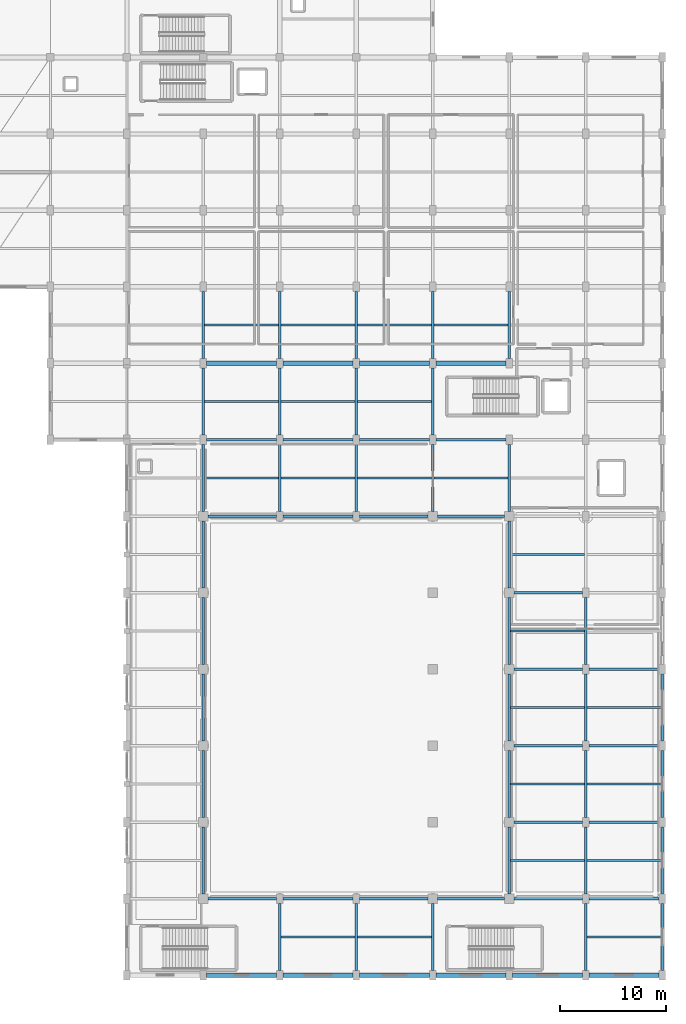
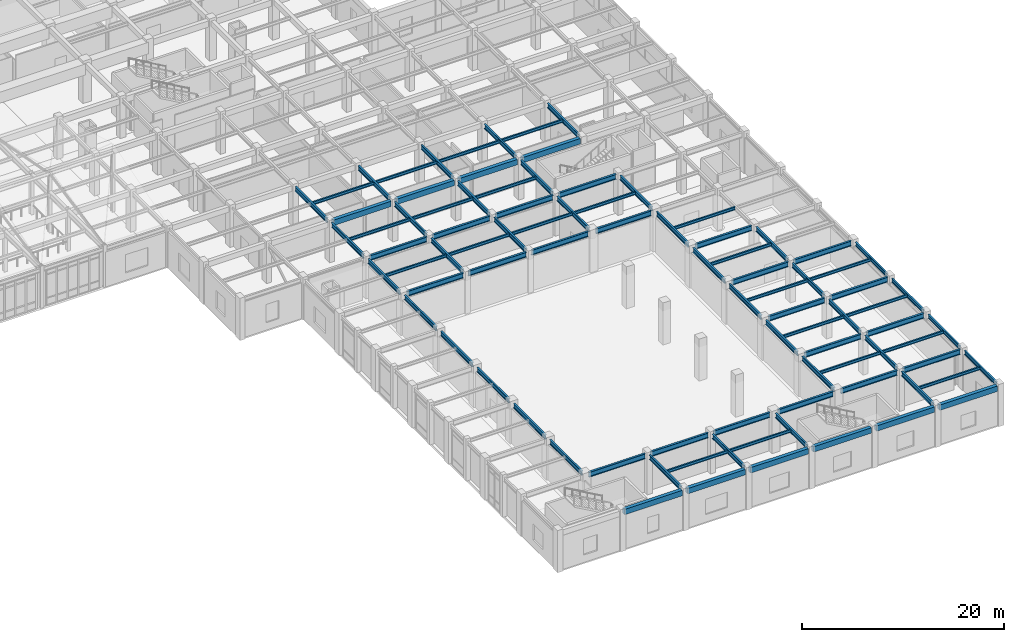
# One storey, part 58 of 117: 89 beams.
"""IFC4 building model written with IfcOpenShell, lengths in metres."""

from ifc_helpers import new_model, si_unit, direction, frame, origin, origin_2d, place, context, subcontext, project, spatial, rectangle, i_section, extrude, material, material_profile, profile_set, type_object, element, save


model = new_model("IFC4")

# Units and contexts
model_context = context("Model", 3, precision=1e-05, world=origin(), true_north=direction((0.0, 1.0)))
body_context = subcontext(model_context, "Body", "Model", "MODEL_VIEW")
ifc_project = project(units=[si_unit("LENGTHUNIT", "METRE"), si_unit("AREAUNIT", "SQUARE_METRE"), si_unit("VOLUMEUNIT", "CUBIC_METRE"), si_unit("PLANEANGLEUNIT", "RADIAN"), si_unit("MASSUNIT", "GRAM", prefix="KILO")], contexts=[model_context])

# Site, building, storey
site_placement = place(None, origin())
site = spatial("IfcSite", under=ifc_project, at=site_placement, CompositionType="ELEMENT")
building_placement = place(site_placement, origin())
building = spatial("IfcBuilding", under=site, at=building_placement, Name="Carrowvane Square Congress Hotel", CompositionType="ELEMENT")
storey_placement = place(building_placement, frame((0.0, 0.0, 5.39990234375)))
storey = spatial("IfcBuildingStorey", under=building, at=storey_placement, Name="L01", CompositionType="ELEMENT", Elevation=5.39990234375)

# Beams
ifc_material_1 = material(Name="Concrete C35/45", Category="concrete")
ifc_material_profile_1 = material_profile(ifc_material_1, rectangle(XDim=0.39990234375, YDim=0.64990234375, at=origin_2d()), Name="RC 400x650")
ifc_profile_set_1 = profile_set([ifc_material_profile_1], Name="Concrete C35/45")
beam_type_1 = type_object("IfcBeamType", Name="BM-RC-400x650", PredefinedType="BEAM", material=ifc_profile_set_1)
for number, where, z_axis, x_axis, name in (
    (1, (141.5, 63.0, 4.455078125), (1.0, 0.0, 0.0), (0.0, 1.0, 0.0), "L02 girder J/19-20"),
    (2, (148.699951171875, 63.0, 4.455078125), (1.0, 0.0, 0.0), (0.0, 1.0, 0.0), "L02 girder J/20-21"),
    (3, (155.89990234375, 63.0, 4.455078125), (1.0, 0.0, 0.0), (0.0, 1.0, 0.0), "L02 girder J/21-22"),
):
    element("IfcBeam", number, at=place(storey_placement, frame(where, z_axis=z_axis, x_axis=x_axis)), inside=storey, type_object=beam_type_1, Name=name, PredefinedType="BEAM", context=body_context, shape_type="SweptSolid", body=[
        extrude(rectangle(XDim=0.39990234375, YDim=0.64990234375, at=origin_2d()), origin(), (0.0, 0.0, 1.0), 6.60009765625),
    ])
beam_1_placement = place(storey_placement, frame((163.10009765625, 63.0, 4.455078125), z_axis=(1.0, 0.0, 0.0), x_axis=(0.0, 1.0, 0.0)))
element("IfcBeam", 4, at=beam_1_placement, inside=storey, type_object=beam_type_1, Name="L02 girder J/22-23", PredefinedType="BEAM", context=body_context, shape_type="SweptSolid", body=[
    extrude(rectangle(XDim=0.39990234375, YDim=0.64990234375, at=origin_2d()), origin(), (0.0, 0.0, 1.0), 6.599853515625),
])
ifc_material_2 = material(Name="Steel S355", Category="steel")
ifc_material_profile_2 = material_profile(ifc_material_2, i_section(OverallWidth=0.172119140625, OverallDepth=0.35791015625, WebThickness=0.008056640625, FlangeThickness=0.012939453125, FilletRadius=0.01025390625, at=origin_2d()), Name="UKB 356x171x57")
ifc_profile_set_2 = profile_set([ifc_material_profile_2], Name="Steel S355")
beam_type_2 = type_object("IfcBeamType", Name="BM-ST-UKB356", PredefinedType="JOIST", material=ifc_profile_set_2)
for number, where, z_axis, x_axis, name in (
    (5, (141.304931640625, 52.199951171875, 4.60107421875), (1.0, 0.0, 0.0), (0.0, 1.0, 0.0), "L02 secondary joist 19-20"),
    (6, (141.304931640625, 59.39990234375, 4.60107421875), (1.0, 0.0, 0.0), (0.0, 1.0, 0.0), "L02 secondary joist 19-20"),
    (7, (141.304931640625, 66.60009765625, 4.60107421875), (1.0, 0.0, 0.0), (0.0, 1.0, 0.0), "L02 secondary joist 19-20"),
):
    element("IfcBeam", number, at=place(storey_placement, frame(where, z_axis=z_axis, x_axis=x_axis)), inside=storey, type_object=beam_type_2, Name=name, PredefinedType="JOIST", context=body_context, shape_type="SweptSolid", body=[
        extrude(i_section(OverallWidth=0.172119140625, OverallDepth=0.35791015625, WebThickness=0.008056640625, FlangeThickness=0.012939453125, FilletRadius=0.01025390625, at=origin_2d()), origin(), (0.0, 0.0, 1.0), 6.989990234375),
    ])
for number, where, z_axis, x_axis, name in (
    (8, (148.5048828125, 9.0, 4.60107421875), (1.0, 0.0, 0.0), (0.0, 1.0, 0.0), "L02 secondary joist 20-21"),
    (9, (148.5048828125, 52.199951171875, 4.60107421875), (1.0, 0.0, 0.0), (0.0, 1.0, 0.0), "L02 secondary joist 20-21"),
    (10, (148.5048828125, 59.39990234375, 4.60107421875), (1.0, 0.0, 0.0), (0.0, 1.0, 0.0), "L02 secondary joist 20-21"),
    (11, (148.5048828125, 66.60009765625, 4.60107421875), (1.0, 0.0, 0.0), (0.0, 1.0, 0.0), "L02 secondary joist 20-21"),
):
    element("IfcBeam", number, at=place(storey_placement, frame(where, z_axis=z_axis, x_axis=x_axis)), inside=storey, type_object=beam_type_2, Name=name, PredefinedType="JOIST", context=body_context, shape_type="SweptSolid", body=[
        extrude(i_section(OverallWidth=0.172119140625, OverallDepth=0.35791015625, WebThickness=0.008056640625, FlangeThickness=0.012939453125, FilletRadius=0.01025390625, at=origin_2d()), origin(), (0.0, 0.0, 1.0), 6.990234375),
    ])
for number, where, z_axis, x_axis, name in (
    (12, (155.705078125, 9.0, 4.60107421875), (1.0, 0.0, 0.0), (0.0, 1.0, 0.0), "L02 secondary joist 21-22"),
    (13, (155.705078125, 52.199951171875, 4.60107421875), (1.0, 0.0, 0.0), (0.0, 1.0, 0.0), "L02 secondary joist 21-22"),
    (14, (155.705078125, 59.39990234375, 4.60107421875), (1.0, 0.0, 0.0), (0.0, 1.0, 0.0), "L02 secondary joist 21-22"),
    (15, (155.705078125, 66.60009765625, 4.60107421875), (1.0, 0.0, 0.0), (0.0, 1.0, 0.0), "L02 secondary joist 21-22"),
    (16, (162.905029296875, 52.199951171875, 4.60107421875), (1.0, 0.0, 0.0), (0.0, 1.0, 0.0), "L02 secondary joist 22-23"),
    (17, (162.905029296875, 66.60009765625, 4.60107421875), (1.0, 0.0, 0.0), (0.0, 1.0, 0.0), "L02 secondary joist 22-23"),
    (18, (170.10498046875, 16.199951171875, 4.60107421875), (1.0, 0.0, 0.0), (0.0, 1.0, 0.0), "L02 secondary joist 23-24"),
    (19, (170.10498046875, 23.39990234375, 4.60107421875), (1.0, 0.0, 0.0), (0.0, 1.0, 0.0), "L02 secondary joist 23-24"),
    (20, (170.10498046875, 30.60009765625, 4.60107421875), (1.0, 0.0, 0.0), (0.0, 1.0, 0.0), "L02 secondary joist 23-24"),
    (21, (170.10498046875, 37.800048828125, 4.60107421875), (1.0, 0.0, 0.0), (0.0, 1.0, 0.0), "L02 secondary joist 23-24"),
    (22, (170.10498046875, 45.0, 4.60107421875), (1.0, 0.0, 0.0), (0.0, 1.0, 0.0), "L02 secondary joist 23-24"),
):
    element("IfcBeam", number, at=place(storey_placement, frame(where, z_axis=z_axis, x_axis=x_axis)), inside=storey, type_object=beam_type_2, Name=name, PredefinedType="JOIST", context=body_context, shape_type="SweptSolid", body=[
        extrude(i_section(OverallWidth=0.172119140625, OverallDepth=0.35791015625, WebThickness=0.008056640625, FlangeThickness=0.012939453125, FilletRadius=0.01025390625, at=origin_2d()), origin(), (0.0, 0.0, 1.0), 6.989990234375),
    ])
for number, where, z_axis, x_axis, name in (
    (23, (177.304931640625, 9.0, 4.60107421875), (1.0, 0.0, 0.0), (0.0, 1.0, 0.0), "L02 secondary joist 24-25"),
    (24, (177.304931640625, 16.199951171875, 4.60107421875), (1.0, 0.0, 0.0), (0.0, 1.0, 0.0), "L02 secondary joist 24-25"),
    (25, (177.304931640625, 23.39990234375, 4.60107421875), (1.0, 0.0, 0.0), (0.0, 1.0, 0.0), "L02 secondary joist 24-25"),
    (26, (177.304931640625, 30.60009765625, 4.60107421875), (1.0, 0.0, 0.0), (0.0, 1.0, 0.0), "L02 secondary joist 24-25"),
):
    element("IfcBeam", number, at=place(storey_placement, frame(where, z_axis=z_axis, x_axis=x_axis)), inside=storey, type_object=beam_type_2, Name=name, PredefinedType="JOIST", context=body_context, shape_type="SweptSolid", body=[
        extrude(i_section(OverallWidth=0.172119140625, OverallDepth=0.35791015625, WebThickness=0.008056640625, FlangeThickness=0.012939453125, FilletRadius=0.01025390625, at=origin_2d()), origin(), (0.0, 0.0, 1.0), 6.99951171875),
    ])
ifc_material_3 = material(Name="Steel S355", Category="steel")
ifc_material_profile_3 = material_profile(ifc_material_3, i_section(OverallWidth=0.19140625, OverallDepth=0.4599609375, WebThickness=0.010009765625, FlangeThickness=0.01611328125, FilletRadius=0.01025390625, at=origin_2d()), Name="UKB 457x191x82")
ifc_profile_set_3 = profile_set([ifc_material_profile_3], Name="Steel S355")
beam_type_3 = type_object("IfcBeamType", Name="BM-ST-UKB457", PredefinedType="SPANDREL", material=ifc_profile_set_3)
beam_2_placement = place(storey_placement, frame((184.39990234375, 5.85009765625, 4.550048828125), z_axis=(0.0, 1.0, 0.0), x_axis=(-1.0, 0.0, 0.0)))
element("IfcBeam", 27, at=beam_2_placement, inside=storey, type_object=beam_type_3, Name="L02 girder 25/A-B", PredefinedType="SPANDREL", context=body_context, shape_type="SweptSolid", body=[
    extrude(i_section(OverallWidth=0.19140625, OverallDepth=0.4599609375, WebThickness=0.010009765625, FlangeThickness=0.01611328125, FilletRadius=0.01025390625, at=origin_2d()), origin(), (0.0, 0.0, 1.0), 6.2998046875),
])
for number, where, z_axis, x_axis, name in (
    (28, (184.39990234375, 13.050048828125, 4.550048828125), (0.0, 1.0, 0.0), (-1.0, 0.0, 0.0), "L02 girder 25/B-C"),
    (29, (184.39990234375, 20.25, 4.550048828125), (0.0, 1.0, 0.0), (-1.0, 0.0, 0.0), "L02 girder 25/C-D"),
    (30, (184.39990234375, 27.449951171875, 4.550048828125), (0.0, 1.0, 0.0), (-1.0, 0.0, 0.0), "L02 girder 25/D-E"),
):
    element("IfcBeam", number, at=place(storey_placement, frame(where, z_axis=z_axis, x_axis=x_axis)), inside=storey, type_object=beam_type_3, Name=name, PredefinedType="SPANDREL", context=body_context, shape_type="SweptSolid", body=[
        extrude(i_section(OverallWidth=0.19140625, OverallDepth=0.4599609375, WebThickness=0.010009765625, FlangeThickness=0.01611328125, FilletRadius=0.01025390625, at=origin_2d()), origin(), (0.0, 0.0, 1.0), 6.300048828125),
    ])
ifc_material_4 = material(Name="Steel S355", Category="steel")
ifc_material_profile_4 = material_profile(ifc_material_4, i_section(OverallWidth=0.2099609375, OverallDepth=0.53662109375, WebThickness=0.0107421875, FlangeThickness=0.017333984375, FilletRadius=0.0126953125, at=origin_2d()), Name="UKB 533x210x101")
ifc_profile_set_4 = profile_set([ifc_material_profile_4], Name="Steel S355")
beam_type_4 = type_object("IfcBeamType", Name="BM-ST-UKB533", PredefinedType="USERDEFINED", material=ifc_profile_set_4)
for number, where, z_axis, x_axis, name in (
    (31, (141.199951171875, 13.050048828125, 4.51171875), (0.0, 1.0, 0.0), (-1.0, 0.0, 0.0), "L02 girder 19/B-C"),
    (32, (141.199951171875, 20.25, 4.51171875), (0.0, 1.0, 0.0), (-1.0, 0.0, 0.0), "L02 girder 19/C-D"),
    (33, (141.199951171875, 27.449951171875, 4.51171875), (0.0, 1.0, 0.0), (-1.0, 0.0, 0.0), "L02 girder 19/D-E"),
    (34, (141.199951171875, 34.64990234375, 4.51171875), (0.0, 1.0, 0.0), (-1.0, 0.0, 0.0), "L02 girder 19/E-F"),
):
    element("IfcBeam", number, at=place(storey_placement, frame(where, z_axis=z_axis, x_axis=x_axis)), inside=storey, type_object=beam_type_4, Name=name, ObjectType="GIRDER", PredefinedType="USERDEFINED", context=body_context, shape_type="SweptSolid", body=[
        extrude(i_section(OverallWidth=0.2099609375, OverallDepth=0.53662109375, WebThickness=0.0107421875, FlangeThickness=0.017333984375, FilletRadius=0.0126953125, at=origin_2d()), origin(), (0.0, 0.0, 1.0), 6.300048828125),
    ])
beam_3_placement = place(storey_placement, frame((141.199951171875, 41.85009765625, 4.51171875), z_axis=(0.0, 1.0, 0.0), x_axis=(-1.0, 0.0, 0.0)))
element("IfcBeam", 35, at=beam_3_placement, inside=storey, type_object=beam_type_4, Name="L02 girder 19/F-G", ObjectType="GIRDER", PredefinedType="USERDEFINED", context=body_context, shape_type="SweptSolid", body=[
    extrude(i_section(OverallWidth=0.2099609375, OverallDepth=0.53662109375, WebThickness=0.0107421875, FlangeThickness=0.017333984375, FilletRadius=0.0126953125, at=origin_2d()), origin(), (0.0, 0.0, 1.0), 6.2998046875),
])
for number, where, z_axis, x_axis, name in (
    (36, (141.199951171875, 49.050048828125, 4.51171875), (0.0, 1.0, 0.0), (-1.0, 0.0, 0.0), "L02 girder 19/G-H"),
    (37, (141.199951171875, 56.25, 4.51171875), (0.0, 1.0, 0.0), (-1.0, 0.0, 0.0), "L02 girder 19/H-J"),
    (38, (141.199951171875, 63.449951171875, 4.51171875), (0.0, 1.0, 0.0), (-1.0, 0.0, 0.0), "L02 girder 19/J-K"),
):
    element("IfcBeam", number, at=place(storey_placement, frame(where, z_axis=z_axis, x_axis=x_axis)), inside=storey, type_object=beam_type_4, Name=name, ObjectType="GIRDER", PredefinedType="USERDEFINED", context=body_context, shape_type="SweptSolid", body=[
        extrude(i_section(OverallWidth=0.2099609375, OverallDepth=0.53662109375, WebThickness=0.0107421875, FlangeThickness=0.017333984375, FilletRadius=0.0126953125, at=origin_2d()), origin(), (0.0, 0.0, 1.0), 6.300048828125),
    ])
beam_4_placement = place(storey_placement, frame((148.39990234375, 5.85009765625, 4.51171875), z_axis=(0.0, 1.0, 0.0), x_axis=(-1.0, 0.0, 0.0)))
element("IfcBeam", 39, at=beam_4_placement, inside=storey, type_object=beam_type_4, Name="L02 girder 20/A-B", ObjectType="GIRDER", PredefinedType="USERDEFINED", context=body_context, shape_type="SweptSolid", body=[
    extrude(i_section(OverallWidth=0.2099609375, OverallDepth=0.53662109375, WebThickness=0.0107421875, FlangeThickness=0.017333984375, FilletRadius=0.0126953125, at=origin_2d()), origin(), (0.0, 0.0, 1.0), 6.2998046875),
])
for number, where, z_axis, x_axis, name in (
    (40, (148.39990234375, 49.050048828125, 4.51171875), (0.0, 1.0, 0.0), (-1.0, 0.0, 0.0), "L02 girder 20/G-H"),
    (41, (148.39990234375, 56.25, 4.51171875), (0.0, 1.0, 0.0), (-1.0, 0.0, 0.0), "L02 girder 20/H-J"),
    (42, (148.39990234375, 63.449951171875, 4.51171875), (0.0, 1.0, 0.0), (-1.0, 0.0, 0.0), "L02 girder 20/J-K"),
):
    element("IfcBeam", number, at=place(storey_placement, frame(where, z_axis=z_axis, x_axis=x_axis)), inside=storey, type_object=beam_type_4, Name=name, ObjectType="GIRDER", PredefinedType="USERDEFINED", context=body_context, shape_type="SweptSolid", body=[
        extrude(i_section(OverallWidth=0.2099609375, OverallDepth=0.53662109375, WebThickness=0.0107421875, FlangeThickness=0.017333984375, FilletRadius=0.0126953125, at=origin_2d()), origin(), (0.0, 0.0, 1.0), 6.300048828125),
    ])
beam_5_placement = place(storey_placement, frame((155.60009765625, 5.85009765625, 4.51171875), z_axis=(0.0, 1.0, 0.0), x_axis=(-1.0, 0.0, 0.0)))
element("IfcBeam", 43, at=beam_5_placement, inside=storey, type_object=beam_type_4, Name="L02 girder 21/A-B", ObjectType="GIRDER", PredefinedType="USERDEFINED", context=body_context, shape_type="SweptSolid", body=[
    extrude(i_section(OverallWidth=0.2099609375, OverallDepth=0.53662109375, WebThickness=0.0107421875, FlangeThickness=0.017333984375, FilletRadius=0.0126953125, at=origin_2d()), origin(), (0.0, 0.0, 1.0), 6.2998046875),
])
for number, where, z_axis, x_axis, name in (
    (44, (155.60009765625, 49.050048828125, 4.51171875), (0.0, 1.0, 0.0), (-1.0, 0.0, 0.0), "L02 girder 21/G-H"),
    (45, (155.60009765625, 56.25, 4.51171875), (0.0, 1.0, 0.0), (-1.0, 0.0, 0.0), "L02 girder 21/H-J"),
    (46, (155.60009765625, 63.449951171875, 4.51171875), (0.0, 1.0, 0.0), (-1.0, 0.0, 0.0), "L02 girder 21/J-K"),
):
    element("IfcBeam", number, at=place(storey_placement, frame(where, z_axis=z_axis, x_axis=x_axis)), inside=storey, type_object=beam_type_4, Name=name, ObjectType="GIRDER", PredefinedType="USERDEFINED", context=body_context, shape_type="SweptSolid", body=[
        extrude(i_section(OverallWidth=0.2099609375, OverallDepth=0.53662109375, WebThickness=0.0107421875, FlangeThickness=0.017333984375, FilletRadius=0.0126953125, at=origin_2d()), origin(), (0.0, 0.0, 1.0), 6.300048828125),
    ])
beam_6_placement = place(storey_placement, frame((162.800048828125, 5.85009765625, 4.51171875), z_axis=(0.0, 1.0, 0.0), x_axis=(-1.0, 0.0, 0.0)))
element("IfcBeam", 47, at=beam_6_placement, inside=storey, type_object=beam_type_4, Name="L02 girder 22/A-B", ObjectType="GIRDER", PredefinedType="USERDEFINED", context=body_context, shape_type="SweptSolid", body=[
    extrude(i_section(OverallWidth=0.2099609375, OverallDepth=0.53662109375, WebThickness=0.0107421875, FlangeThickness=0.017333984375, FilletRadius=0.0126953125, at=origin_2d()), origin(), (0.0, 0.0, 1.0), 6.2998046875),
])
for number, where, z_axis, x_axis, name in (
    (48, (162.800048828125, 49.050048828125, 4.51171875), (0.0, 1.0, 0.0), (-1.0, 0.0, 0.0), "L02 girder 22/G-H"),
    (49, (162.800048828125, 56.25, 4.51171875), (0.0, 1.0, 0.0), (-1.0, 0.0, 0.0), "L02 girder 22/H-J"),
    (50, (162.800048828125, 63.449951171875, 4.51171875), (0.0, 1.0, 0.0), (-1.0, 0.0, 0.0), "L02 girder 22/J-K"),
    (51, (170.0, 13.050048828125, 4.51171875), (0.0, 1.0, 0.0), (-1.0, 0.0, 0.0), "L02 girder 23/B-C"),
    (52, (170.0, 20.25, 4.51171875), (0.0, 1.0, 0.0), (-1.0, 0.0, 0.0), "L02 girder 23/C-D"),
    (53, (170.0, 27.449951171875, 4.51171875), (0.0, 1.0, 0.0), (-1.0, 0.0, 0.0), "L02 girder 23/D-E"),
    (54, (170.0, 34.64990234375, 4.51171875), (0.0, 1.0, 0.0), (-1.0, 0.0, 0.0), "L02 girder 23/E-F"),
):
    element("IfcBeam", number, at=place(storey_placement, frame(where, z_axis=z_axis, x_axis=x_axis)), inside=storey, type_object=beam_type_4, Name=name, ObjectType="GIRDER", PredefinedType="USERDEFINED", context=body_context, shape_type="SweptSolid", body=[
        extrude(i_section(OverallWidth=0.2099609375, OverallDepth=0.53662109375, WebThickness=0.0107421875, FlangeThickness=0.017333984375, FilletRadius=0.0126953125, at=origin_2d()), origin(), (0.0, 0.0, 1.0), 6.300048828125),
    ])
beam_7_placement = place(storey_placement, frame((170.0, 41.85009765625, 4.51171875), z_axis=(0.0, 1.0, 0.0), x_axis=(-1.0, 0.0, 0.0)))
element("IfcBeam", 55, at=beam_7_placement, inside=storey, type_object=beam_type_4, Name="L02 girder 23/F-G", ObjectType="GIRDER", PredefinedType="USERDEFINED", context=body_context, shape_type="SweptSolid", body=[
    extrude(i_section(OverallWidth=0.2099609375, OverallDepth=0.53662109375, WebThickness=0.0107421875, FlangeThickness=0.017333984375, FilletRadius=0.0126953125, at=origin_2d()), origin(), (0.0, 0.0, 1.0), 6.2998046875),
])
for number, where, z_axis, x_axis, name in (
    (56, (170.0, 49.050048828125, 4.51171875), (0.0, 1.0, 0.0), (-1.0, 0.0, 0.0), "L02 girder 23/G-H"),
    (57, (170.0, 63.449951171875, 4.51171875), (0.0, 1.0, 0.0), (-1.0, 0.0, 0.0), "L02 girder 23/J-K"),
):
    element("IfcBeam", number, at=place(storey_placement, frame(where, z_axis=z_axis, x_axis=x_axis)), inside=storey, type_object=beam_type_4, Name=name, ObjectType="GIRDER", PredefinedType="USERDEFINED", context=body_context, shape_type="SweptSolid", body=[
        extrude(i_section(OverallWidth=0.2099609375, OverallDepth=0.53662109375, WebThickness=0.0107421875, FlangeThickness=0.017333984375, FilletRadius=0.0126953125, at=origin_2d()), origin(), (0.0, 0.0, 1.0), 6.300048828125),
    ])
beam_8_placement = place(storey_placement, frame((177.199951171875, 5.85009765625, 4.51171875), z_axis=(0.0, 1.0, 0.0), x_axis=(-1.0, 0.0, 0.0)))
element("IfcBeam", 58, at=beam_8_placement, inside=storey, type_object=beam_type_4, Name="L02 girder 24/A-B", ObjectType="GIRDER", PredefinedType="USERDEFINED", context=body_context, shape_type="SweptSolid", body=[
    extrude(i_section(OverallWidth=0.2099609375, OverallDepth=0.53662109375, WebThickness=0.0107421875, FlangeThickness=0.017333984375, FilletRadius=0.0126953125, at=origin_2d()), origin(), (0.0, 0.0, 1.0), 6.2998046875),
])
for number, where, z_axis, x_axis, name in (
    (59, (177.199951171875, 13.050048828125, 4.51171875), (0.0, 1.0, 0.0), (-1.0, 0.0, 0.0), "L02 girder 24/B-C"),
    (60, (177.199951171875, 20.25, 4.51171875), (0.0, 1.0, 0.0), (-1.0, 0.0, 0.0), "L02 girder 24/C-D"),
    (61, (177.199951171875, 27.449951171875, 4.51171875), (0.0, 1.0, 0.0), (-1.0, 0.0, 0.0), "L02 girder 24/D-E"),
    (62, (177.199951171875, 34.64990234375, 4.51171875), (0.0, 1.0, 0.0), (-1.0, 0.0, 0.0), "L02 girder 24/E-F"),
):
    element("IfcBeam", number, at=place(storey_placement, frame(where, z_axis=z_axis, x_axis=x_axis)), inside=storey, type_object=beam_type_4, Name=name, ObjectType="GIRDER", PredefinedType="USERDEFINED", context=body_context, shape_type="SweptSolid", body=[
        extrude(i_section(OverallWidth=0.2099609375, OverallDepth=0.53662109375, WebThickness=0.0107421875, FlangeThickness=0.017333984375, FilletRadius=0.0126953125, at=origin_2d()), origin(), (0.0, 0.0, 1.0), 6.300048828125),
    ])
ifc_material_5 = material(Name="Steel S355", Category="steel")
ifc_material_profile_5 = material_profile(ifc_material_5, i_section(OverallWidth=0.22900390625, OverallDepth=0.6123046875, WebThickness=0.011962890625, FlangeThickness=0.01953125, FilletRadius=0.0126953125, at=origin_2d()), Name="UKB 610x229x125")
ifc_profile_set_5 = profile_set([ifc_material_profile_5], Name="Steel S355")
beam_type_5 = type_object("IfcBeamType", Name="BM-ST-UKB610A", PredefinedType="USERDEFINED", material=ifc_profile_set_5)
beam_9_placement = place(storey_placement, frame((141.64990234375, 12.60009765625, 4.473876953125), z_axis=(1.0, 0.0, 0.0), x_axis=(0.0, 1.0, 0.0)))
element("IfcBeam", 63, at=beam_9_placement, inside=storey, type_object=beam_type_5, Name="L02 girder B/19-20", ObjectType="GIRDER", PredefinedType="USERDEFINED", context=body_context, shape_type="SweptSolid", body=[
    extrude(i_section(OverallWidth=0.22900390625, OverallDepth=0.6123046875, WebThickness=0.011962890625, FlangeThickness=0.01953125, FilletRadius=0.0126953125, at=origin_2d()), origin(), (0.0, 0.0, 1.0), 6.4501953125),
])
beam_10_placement = place(storey_placement, frame((148.699951171875, 12.60009765625, 4.473876953125), z_axis=(1.0, 0.0, 0.0), x_axis=(0.0, 1.0, 0.0)))
element("IfcBeam", 64, at=beam_10_placement, inside=storey, type_object=beam_type_5, Name="L02 girder B/20-21", ObjectType="GIRDER", PredefinedType="USERDEFINED", context=body_context, shape_type="SweptSolid", body=[
    extrude(i_section(OverallWidth=0.22900390625, OverallDepth=0.6123046875, WebThickness=0.011962890625, FlangeThickness=0.01953125, FilletRadius=0.0126953125, at=origin_2d()), origin(), (0.0, 0.0, 1.0), 6.60009765625),
])
beam_11_placement = place(storey_placement, frame((155.89990234375, 12.60009765625, 4.473876953125), z_axis=(1.0, 0.0, 0.0), x_axis=(0.0, 1.0, 0.0)))
element("IfcBeam", 65, at=beam_11_placement, inside=storey, type_object=beam_type_5, Name="L02 girder B/21-22", ObjectType="GIRDER", PredefinedType="USERDEFINED", context=body_context, shape_type="SweptSolid", body=[
    extrude(i_section(OverallWidth=0.22900390625, OverallDepth=0.6123046875, WebThickness=0.011962890625, FlangeThickness=0.01953125, FilletRadius=0.0126953125, at=origin_2d()), origin(), (0.0, 0.0, 1.0), 6.4501953125),
])
beam_12_placement = place(storey_placement, frame((163.25, 12.60009765625, 4.473876953125), z_axis=(1.0, 0.0, 0.0), x_axis=(0.0, 1.0, 0.0)))
element("IfcBeam", 66, at=beam_12_placement, inside=storey, type_object=beam_type_5, Name="L02 girder B/22-23", ObjectType="GIRDER", PredefinedType="USERDEFINED", context=body_context, shape_type="SweptSolid", body=[
    extrude(i_section(OverallWidth=0.22900390625, OverallDepth=0.6123046875, WebThickness=0.011962890625, FlangeThickness=0.01953125, FilletRadius=0.0126953125, at=origin_2d()), origin(), (0.0, 0.0, 1.0), 6.300048828125),
])
beam_13_placement = place(storey_placement, frame((170.449951171875, 12.60009765625, 4.473876953125), z_axis=(1.0, 0.0, 0.0), x_axis=(0.0, 1.0, 0.0)))
element("IfcBeam", 67, at=beam_13_placement, inside=storey, type_object=beam_type_5, Name="L02 girder B/23-24", ObjectType="GIRDER", PredefinedType="USERDEFINED", context=body_context, shape_type="SweptSolid", body=[
    extrude(i_section(OverallWidth=0.22900390625, OverallDepth=0.6123046875, WebThickness=0.011962890625, FlangeThickness=0.01953125, FilletRadius=0.0126953125, at=origin_2d()), origin(), (0.0, 0.0, 1.0), 6.449951171875),
])
beam_14_placement = place(storey_placement, frame((177.5, 12.60009765625, 4.473876953125), z_axis=(1.0, 0.0, 0.0), x_axis=(0.0, 1.0, 0.0)))
element("IfcBeam", 68, at=beam_14_placement, inside=storey, type_object=beam_type_5, Name="L02 girder B/24-25", ObjectType="GIRDER", PredefinedType="USERDEFINED", context=body_context, shape_type="SweptSolid", body=[
    extrude(i_section(OverallWidth=0.22900390625, OverallDepth=0.6123046875, WebThickness=0.011962890625, FlangeThickness=0.01953125, FilletRadius=0.0126953125, at=origin_2d()), origin(), (0.0, 0.0, 1.0), 6.60009765625),
])
beam_15_placement = place(storey_placement, frame((170.449951171875, 19.800048828125, 4.473876953125), z_axis=(1.0, 0.0, 0.0), x_axis=(0.0, 1.0, 0.0)))
element("IfcBeam", 69, at=beam_15_placement, inside=storey, type_object=beam_type_5, Name="L02 girder C/23-24", ObjectType="GIRDER", PredefinedType="USERDEFINED", context=body_context, shape_type="SweptSolid", body=[
    extrude(i_section(OverallWidth=0.22900390625, OverallDepth=0.6123046875, WebThickness=0.011962890625, FlangeThickness=0.01953125, FilletRadius=0.0126953125, at=origin_2d()), origin(), (0.0, 0.0, 1.0), 6.449951171875),
])
beam_16_placement = place(storey_placement, frame((177.5, 19.800048828125, 4.473876953125), z_axis=(1.0, 0.0, 0.0), x_axis=(0.0, 1.0, 0.0)))
element("IfcBeam", 70, at=beam_16_placement, inside=storey, type_object=beam_type_5, Name="L02 girder C/24-25", ObjectType="GIRDER", PredefinedType="USERDEFINED", context=body_context, shape_type="SweptSolid", body=[
    extrude(i_section(OverallWidth=0.22900390625, OverallDepth=0.6123046875, WebThickness=0.011962890625, FlangeThickness=0.01953125, FilletRadius=0.0126953125, at=origin_2d()), origin(), (0.0, 0.0, 1.0), 6.60009765625),
])
beam_17_placement = place(storey_placement, frame((170.449951171875, 27.0, 4.473876953125), z_axis=(1.0, 0.0, 0.0), x_axis=(0.0, 1.0, 0.0)))
element("IfcBeam", 71, at=beam_17_placement, inside=storey, type_object=beam_type_5, Name="L02 girder D/23-24", ObjectType="GIRDER", PredefinedType="USERDEFINED", context=body_context, shape_type="SweptSolid", body=[
    extrude(i_section(OverallWidth=0.22900390625, OverallDepth=0.6123046875, WebThickness=0.011962890625, FlangeThickness=0.01953125, FilletRadius=0.0126953125, at=origin_2d()), origin(), (0.0, 0.0, 1.0), 6.449951171875),
])
beam_18_placement = place(storey_placement, frame((177.5, 27.0, 4.473876953125), z_axis=(1.0, 0.0, 0.0), x_axis=(0.0, 1.0, 0.0)))
element("IfcBeam", 72, at=beam_18_placement, inside=storey, type_object=beam_type_5, Name="L02 girder D/24-25", ObjectType="GIRDER", PredefinedType="USERDEFINED", context=body_context, shape_type="SweptSolid", body=[
    extrude(i_section(OverallWidth=0.22900390625, OverallDepth=0.6123046875, WebThickness=0.011962890625, FlangeThickness=0.01953125, FilletRadius=0.0126953125, at=origin_2d()), origin(), (0.0, 0.0, 1.0), 6.60009765625),
])
beam_19_placement = place(storey_placement, frame((170.449951171875, 34.199951171875, 4.473876953125), z_axis=(1.0, 0.0, 0.0), x_axis=(0.0, 1.0, 0.0)))
element("IfcBeam", 73, at=beam_19_placement, inside=storey, type_object=beam_type_5, Name="L02 girder E/23-24", ObjectType="GIRDER", PredefinedType="USERDEFINED", context=body_context, shape_type="SweptSolid", body=[
    extrude(i_section(OverallWidth=0.22900390625, OverallDepth=0.6123046875, WebThickness=0.011962890625, FlangeThickness=0.01953125, FilletRadius=0.0126953125, at=origin_2d()), origin(), (0.0, 0.0, 1.0), 6.449951171875),
])
beam_20_placement = place(storey_placement, frame((177.5, 34.199951171875, 4.473876953125), z_axis=(1.0, 0.0, 0.0), x_axis=(0.0, 1.0, 0.0)))
element("IfcBeam", 74, at=beam_20_placement, inside=storey, type_object=beam_type_5, Name="L02 girder E/24-25", ObjectType="GIRDER", PredefinedType="USERDEFINED", context=body_context, shape_type="SweptSolid", body=[
    extrude(i_section(OverallWidth=0.22900390625, OverallDepth=0.6123046875, WebThickness=0.011962890625, FlangeThickness=0.01953125, FilletRadius=0.0126953125, at=origin_2d()), origin(), (0.0, 0.0, 1.0), 6.60009765625),
])
beam_21_placement = place(storey_placement, frame((170.449951171875, 41.39990234375, 4.473876953125), z_axis=(1.0, 0.0, 0.0), x_axis=(0.0, 1.0, 0.0)))
element("IfcBeam", 75, at=beam_21_placement, inside=storey, type_object=beam_type_5, Name="L02 girder F/23-24", ObjectType="GIRDER", PredefinedType="USERDEFINED", context=body_context, shape_type="SweptSolid", body=[
    extrude(i_section(OverallWidth=0.22900390625, OverallDepth=0.6123046875, WebThickness=0.011962890625, FlangeThickness=0.01953125, FilletRadius=0.0126953125, at=origin_2d()), origin(), (0.0, 0.0, 1.0), 6.449951171875),
])
beam_22_placement = place(storey_placement, frame((141.64990234375, 48.60009765625, 4.473876953125), z_axis=(1.0, 0.0, 0.0), x_axis=(0.0, 1.0, 0.0)))
element("IfcBeam", 76, at=beam_22_placement, inside=storey, type_object=beam_type_5, Name="L02 girder G/19-20", ObjectType="GIRDER", PredefinedType="USERDEFINED", context=body_context, shape_type="SweptSolid", body=[
    extrude(i_section(OverallWidth=0.22900390625, OverallDepth=0.6123046875, WebThickness=0.011962890625, FlangeThickness=0.01953125, FilletRadius=0.0126953125, at=origin_2d()), origin(), (0.0, 0.0, 1.0), 6.4501953125),
])
beam_23_placement = place(storey_placement, frame((148.699951171875, 48.60009765625, 4.473876953125), z_axis=(1.0, 0.0, 0.0), x_axis=(0.0, 1.0, 0.0)))
element("IfcBeam", 77, at=beam_23_placement, inside=storey, type_object=beam_type_5, Name="L02 girder G/20-21", ObjectType="GIRDER", PredefinedType="USERDEFINED", context=body_context, shape_type="SweptSolid", body=[
    extrude(i_section(OverallWidth=0.22900390625, OverallDepth=0.6123046875, WebThickness=0.011962890625, FlangeThickness=0.01953125, FilletRadius=0.0126953125, at=origin_2d()), origin(), (0.0, 0.0, 1.0), 6.60009765625),
])
beam_24_placement = place(storey_placement, frame((155.89990234375, 48.60009765625, 4.473876953125), z_axis=(1.0, 0.0, 0.0), x_axis=(0.0, 1.0, 0.0)))
element("IfcBeam", 78, at=beam_24_placement, inside=storey, type_object=beam_type_5, Name="L02 girder G/21-22", ObjectType="GIRDER", PredefinedType="USERDEFINED", context=body_context, shape_type="SweptSolid", body=[
    extrude(i_section(OverallWidth=0.22900390625, OverallDepth=0.6123046875, WebThickness=0.011962890625, FlangeThickness=0.01953125, FilletRadius=0.0126953125, at=origin_2d()), origin(), (0.0, 0.0, 1.0), 6.4501953125),
])
beam_25_placement = place(storey_placement, frame((163.25, 48.60009765625, 4.473876953125), z_axis=(1.0, 0.0, 0.0), x_axis=(0.0, 1.0, 0.0)))
element("IfcBeam", 79, at=beam_25_placement, inside=storey, type_object=beam_type_5, Name="L02 girder G/22-23", ObjectType="GIRDER", PredefinedType="USERDEFINED", context=body_context, shape_type="SweptSolid", body=[
    extrude(i_section(OverallWidth=0.22900390625, OverallDepth=0.6123046875, WebThickness=0.011962890625, FlangeThickness=0.01953125, FilletRadius=0.0126953125, at=origin_2d()), origin(), (0.0, 0.0, 1.0), 6.300048828125),
])
for number, where, z_axis, x_axis, name in (
    (80, (141.5, 55.800048828125, 4.473876953125), (1.0, 0.0, 0.0), (0.0, 1.0, 0.0), "L02 girder H/19-20"),
    (81, (148.699951171875, 55.800048828125, 4.473876953125), (1.0, 0.0, 0.0), (0.0, 1.0, 0.0), "L02 girder H/20-21"),
    (82, (155.89990234375, 55.800048828125, 4.473876953125), (1.0, 0.0, 0.0), (0.0, 1.0, 0.0), "L02 girder H/21-22"),
):
    element("IfcBeam", number, at=place(storey_placement, frame(where, z_axis=z_axis, x_axis=x_axis)), inside=storey, type_object=beam_type_5, Name=name, ObjectType="GIRDER", PredefinedType="USERDEFINED", context=body_context, shape_type="SweptSolid", body=[
        extrude(i_section(OverallWidth=0.22900390625, OverallDepth=0.6123046875, WebThickness=0.011962890625, FlangeThickness=0.01953125, FilletRadius=0.0126953125, at=origin_2d()), origin(), (0.0, 0.0, 1.0), 6.60009765625),
    ])
beam_26_placement = place(storey_placement, frame((163.10009765625, 55.800048828125, 4.473876953125), z_axis=(1.0, 0.0, 0.0), x_axis=(0.0, 1.0, 0.0)))
element("IfcBeam", 83, at=beam_26_placement, inside=storey, type_object=beam_type_5, Name="L02 girder H/22-23", ObjectType="GIRDER", PredefinedType="USERDEFINED", context=body_context, shape_type="SweptSolid", body=[
    extrude(i_section(OverallWidth=0.22900390625, OverallDepth=0.6123046875, WebThickness=0.011962890625, FlangeThickness=0.01953125, FilletRadius=0.0126953125, at=origin_2d()), origin(), (0.0, 0.0, 1.0), 6.599853515625),
])
ifc_material_6 = material(Name="Concrete C35/45", Category="concrete")
ifc_material_profile_6 = material_profile(ifc_material_6, rectangle(XDim=0.39990234375, YDim=0.64990234375, at=origin_2d()), Name="RC 400x650")
ifc_profile_set_6 = profile_set([ifc_material_profile_6], Name="Concrete C35/45")
beam_type_6 = type_object("IfcBeamType", Name="SP-RC-400x650", PredefinedType="SPANDREL", material=ifc_profile_set_6)
for number, where, z_axis, x_axis, name in (
    (84, (141.5, 5.39990234375, 4.455078125), (1.0, 0.0, 0.0), (0.0, 1.0, 0.0), "L02 girder A/19-20"),
    (85, (148.699951171875, 5.39990234375, 4.455078125), (1.0, 0.0, 0.0), (0.0, 1.0, 0.0), "L02 girder A/20-21"),
    (86, (155.89990234375, 5.39990234375, 4.455078125), (1.0, 0.0, 0.0), (0.0, 1.0, 0.0), "L02 girder A/21-22"),
):
    element("IfcBeam", number, at=place(storey_placement, frame(where, z_axis=z_axis, x_axis=x_axis)), inside=storey, type_object=beam_type_6, Name=name, PredefinedType="SPANDREL", context=body_context, shape_type="SweptSolid", body=[
        extrude(rectangle(XDim=0.39990234375, YDim=0.64990234375, at=origin_2d()), origin(), (0.0, 0.0, 1.0), 6.60009765625),
    ])
for number, where, z_axis, x_axis, name in (
    (87, (163.10009765625, 5.39990234375, 4.455078125), (1.0, 0.0, 0.0), (0.0, 1.0, 0.0), "L02 girder A/22-23"),
    (88, (170.300048828125, 5.39990234375, 4.455078125), (1.0, 0.0, 0.0), (0.0, 1.0, 0.0), "L02 girder A/23-24"),
):
    element("IfcBeam", number, at=place(storey_placement, frame(where, z_axis=z_axis, x_axis=x_axis)), inside=storey, type_object=beam_type_6, Name=name, PredefinedType="SPANDREL", context=body_context, shape_type="SweptSolid", body=[
        extrude(rectangle(XDim=0.39990234375, YDim=0.64990234375, at=origin_2d()), origin(), (0.0, 0.0, 1.0), 6.599853515625),
    ])
beam_27_placement = place(storey_placement, frame((177.5, 5.39990234375, 4.455078125), z_axis=(1.0, 0.0, 0.0), x_axis=(0.0, 1.0, 0.0)))
element("IfcBeam", 89, at=beam_27_placement, inside=storey, type_object=beam_type_6, Name="L02 girder A/24-25", PredefinedType="SPANDREL", context=body_context, shape_type="SweptSolid", body=[
    extrude(rectangle(XDim=0.39990234375, YDim=0.64990234375, at=origin_2d()), origin(), (0.0, 0.0, 1.0), 6.60009765625),
])

save(model, "model.ifc")
